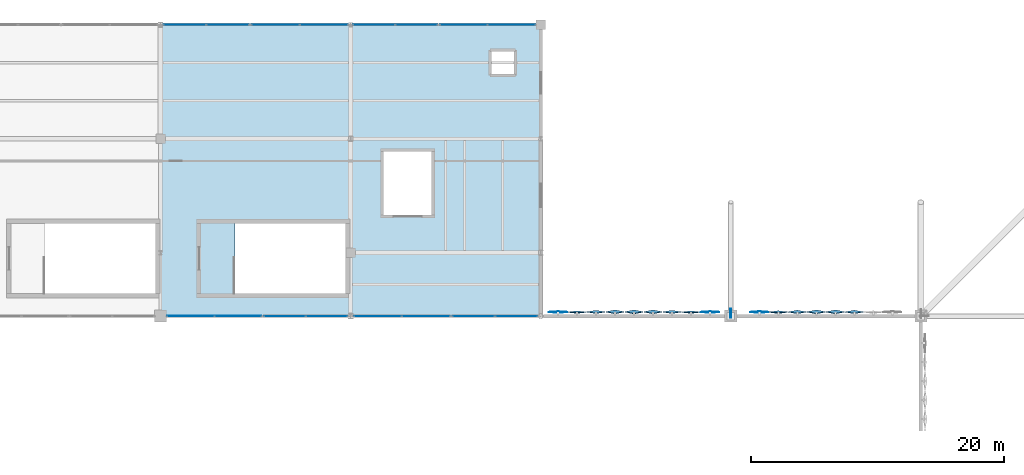
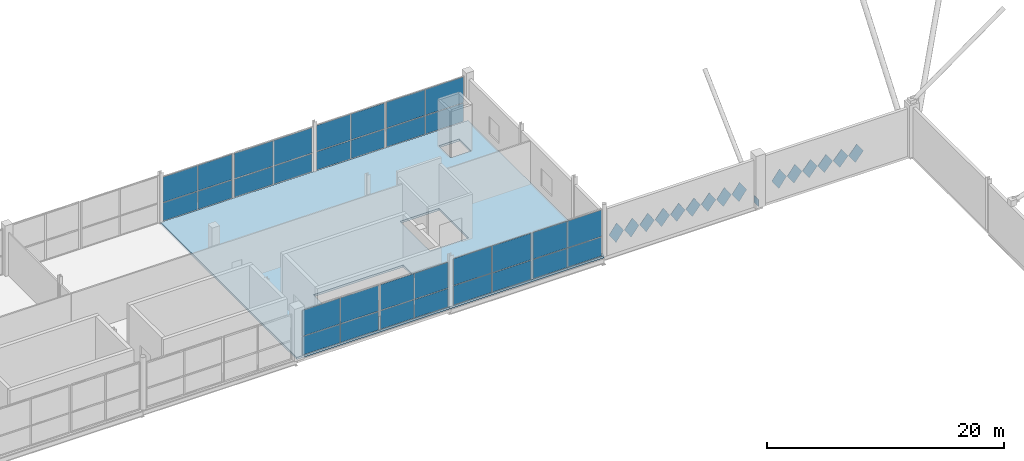
# One storey, part 76 of 119: 48 plates, 1 slab, 8 elements without a shape of their own.
"""IFC4 building model written with IfcOpenShell, lengths in metres."""

from ifc_helpers import new_model, si_unit, direction, frame, origin, origin_2d, place, context, subcontext, project, spatial, polyline, rectangle, outline, extrude, material, layer, layer_set, type_object, element, aggregate, save


model = new_model("IFC4")

# Units and contexts
model_context = context("Model", 3, precision=1e-05, world=origin(), true_north=direction((0.0, 1.0)))
body_context = subcontext(model_context, "Body", "Model", "MODEL_VIEW")
ifc_project = project(units=[si_unit("LENGTHUNIT", "METRE"), si_unit("AREAUNIT", "SQUARE_METRE"), si_unit("VOLUMEUNIT", "CUBIC_METRE"), si_unit("PLANEANGLEUNIT", "RADIAN"), si_unit("MASSUNIT", "GRAM", prefix="KILO")], contexts=[model_context])

# Site, building, storey
site_placement = place(None, origin())
site = spatial("IfcSite", under=ifc_project, at=site_placement, CompositionType="ELEMENT")
building_placement = place(site_placement, origin())
building = spatial("IfcBuilding", under=site, at=building_placement, Name="Qamarlyn Nura Convention Centre", CompositionType="ELEMENT")
storey_placement = place(building_placement, frame((0.0, 0.0, 5.39990234375)))
storey = spatial("IfcBuildingStorey", under=building, at=storey_placement, Name="L01", CompositionType="ELEMENT", Elevation=5.39990234375)

# Curtain wall, plates
ifc_material_1 = material(Name="Double-silver low-E insulated glass", Category="glass")
ifc_layer_1 = layer(ifc_material_1, 0.179931640625, Name="CW-UNIT-39")
ifc_layer_set_1 = layer_set([ifc_layer_1], Name="Double-silver low-E insulated glass")
curtain_wall_type_1 = type_object("IfcCurtainWallType", Name="CW-UNIT-39", PredefinedType="NOTDEFINED", material=ifc_layer_set_1)
curtain_wall_1_placement = place(storey_placement, origin())
curtain_wall_1 = element("IfcCurtainWall", 1, at=curtain_wall_1_placement, inside=storey, type_object=curtain_wall_type_1, Name="L01 unitised curtain wall NS-INT-4-1A", PredefinedType="NOTDEFINED")
ifc_layer_2 = layer(ifc_material_1, 0.028076171875, Name="CWP-VIS-28")
ifc_layer_set_2 = layer_set([ifc_layer_2], Name="Double-silver low-E insulated glass")
plate_type_1 = type_object("IfcPlateType", Name="CWP-VIS-28", PredefinedType="CURTAIN_PANEL", material=ifc_layer_set_2)
plate_1_placement = place(storey_placement, frame((73.106689453125, 103.0, 0.06494140625), z_axis=(0.0, 0.0, 1.0), x_axis=(-1.0, 0.0, 0.0)))
plate_1 = element("IfcPlate", 2, at=plate_1_placement, type_object=plate_type_1, Name="CW39 panel 1.1", PredefinedType="CURTAIN_PANEL", context=body_context, shape_type="SweptSolid", body=[
    extrude(rectangle(XDim=3.247802734375, YDim=0.028076171875, at=origin_2d()), origin(), (0.0, 0.0, 1.0), 1.886474609375),
])
plate_2_placement = place(storey_placement, frame((73.106689453125, 103.0, 2.0166015625), z_axis=(0.0, 0.0, 1.0), x_axis=(-1.0, 0.0, 0.0)))
plate_2 = element("IfcPlate", 3, at=plate_2_placement, type_object=plate_type_1, Name="CW39 panel 1.2", PredefinedType="CURTAIN_PANEL", context=body_context, shape_type="SweptSolid", body=[
    extrude(rectangle(XDim=3.247802734375, YDim=0.028076171875, at=origin_2d()), origin(), (0.0, 0.0, 1.0), 2.642578125),
])
plate_3_placement = place(storey_placement, frame((69.793701171875, 103.0, 0.06494140625), z_axis=(0.0, 0.0, 1.0), x_axis=(-1.0, 0.0, 0.0)))
plate_3 = element("IfcPlate", 4, at=plate_3_placement, type_object=plate_type_1, Name="CW39 panel 2.1", PredefinedType="CURTAIN_PANEL", context=body_context, shape_type="SweptSolid", body=[
    extrude(rectangle(XDim=3.247802734375, YDim=0.028076171875, at=origin_2d()), origin(), (0.0, 0.0, 1.0), 1.886474609375),
])
plate_4_placement = place(storey_placement, frame((69.793701171875, 103.0, 2.0166015625), z_axis=(0.0, 0.0, 1.0), x_axis=(-1.0, 0.0, 0.0)))
plate_4 = element("IfcPlate", 5, at=plate_4_placement, type_object=plate_type_1, Name="CW39 panel 2.2", PredefinedType="CURTAIN_PANEL", context=body_context, shape_type="SweptSolid", body=[
    extrude(rectangle(XDim=3.247802734375, YDim=0.028076171875, at=origin_2d()), origin(), (0.0, 0.0, 1.0), 2.642578125),
])
aggregate(curtain_wall_1, [plate_1, plate_2, plate_3, plate_4])

ifc_layer_3 = layer(ifc_material_1, 0.179931640625, Name="CW-UNIT-41")
ifc_layer_set_3 = layer_set([ifc_layer_3], Name="Double-silver low-E insulated glass")
curtain_wall_type_2 = type_object("IfcCurtainWallType", Name="CW-UNIT-41", PredefinedType="NOTDEFINED", material=ifc_layer_set_3)
curtain_wall_2_placement = place(storey_placement, origin())
curtain_wall_2 = element("IfcCurtainWall", 6, at=curtain_wall_2_placement, inside=storey, type_object=curtain_wall_type_2, Name="L01 unitised curtain wall NS-INT-5-1A", PredefinedType="NOTDEFINED")
plate_5_placement = place(storey_placement, frame((88.07470703125, 103.0, 0.0703125), z_axis=(0.0, 0.0, 1.0), x_axis=(-1.0, 0.0, 0.0)))
plate_5 = element("IfcPlate", 7, at=plate_5_placement, type_object=plate_type_1, Name="CW41 panel 1.1", PredefinedType="CURTAIN_PANEL", context=body_context, shape_type="SweptSolid", body=[
    extrude(rectangle(XDim=3.30419921875, YDim=0.028076171875, at=origin_2d()), origin(), (0.0, 0.0, 1.0), 1.948974609375),
])
plate_6_placement = place(storey_placement, frame((88.07470703125, 103.0, 2.089111328125), z_axis=(0.0, 0.0, 1.0), x_axis=(-1.0, 0.0, 0.0)))
plate_6 = element("IfcPlate", 8, at=plate_6_placement, type_object=plate_type_1, Name="CW41 panel 1.2", PredefinedType="CURTAIN_PANEL", context=body_context, shape_type="SweptSolid", body=[
    extrude(rectangle(XDim=3.30419921875, YDim=0.028076171875, at=origin_2d()), origin(), (0.0, 0.0, 1.0), 2.73095703125),
])
plate_7_placement = place(storey_placement, frame((84.700439453125, 103.0, 0.0703125), z_axis=(0.0, 0.0, 1.0), x_axis=(-1.0, 0.0, 0.0)))
plate_7 = element("IfcPlate", 9, at=plate_7_placement, type_object=plate_type_1, Name="CW41 panel 2.1", PredefinedType="CURTAIN_PANEL", context=body_context, shape_type="SweptSolid", body=[
    extrude(rectangle(XDim=3.30419921875, YDim=0.028076171875, at=origin_2d()), origin(), (0.0, 0.0, 1.0), 1.948974609375),
])
plate_8_placement = place(storey_placement, frame((84.700439453125, 103.0, 2.089111328125), z_axis=(0.0, 0.0, 1.0), x_axis=(-1.0, 0.0, 0.0)))
plate_8 = element("IfcPlate", 10, at=plate_8_placement, type_object=plate_type_1, Name="CW41 panel 2.2", PredefinedType="CURTAIN_PANEL", context=body_context, shape_type="SweptSolid", body=[
    extrude(rectangle(XDim=3.30419921875, YDim=0.028076171875, at=origin_2d()), origin(), (0.0, 0.0, 1.0), 2.73095703125),
])
aggregate(curtain_wall_2, [plate_5, plate_6, plate_7, plate_8])

ifc_layer_4 = layer(ifc_material_1, 0.179931640625, Name="CW-UNIT-42")
ifc_layer_set_4 = layer_set([ifc_layer_4], Name="Double-silver low-E insulated glass")
curtain_wall_type_3 = type_object("IfcCurtainWallType", Name="CW-UNIT-42", PredefinedType="NOTDEFINED", material=ifc_layer_set_4)
curtain_wall_3_placement = place(storey_placement, origin())
curtain_wall_3 = element("IfcCurtainWall", 11, at=curtain_wall_3_placement, inside=storey, type_object=curtain_wall_type_3, Name="L01 unitised curtain wall NS-INT-5-1B", PredefinedType="NOTDEFINED")
plate_9_placement = place(storey_placement, frame((80.958740234375, 103.0, 0.065185546875), z_axis=(0.0, 0.0, 1.0), x_axis=(-1.0, 0.0, 0.0)))
plate_9 = element("IfcPlate", 12, at=plate_9_placement, type_object=plate_type_1, Name="CW42 panel 1.1", PredefinedType="CURTAIN_PANEL", context=body_context, shape_type="SweptSolid", body=[
    extrude(rectangle(XDim=3.74951171875, YDim=0.028076171875, at=origin_2d()), origin(), (0.0, 0.0, 1.0), 1.95654296875),
])
plate_10_placement = place(storey_placement, frame((80.958740234375, 103.0, 2.08642578125), z_axis=(0.0, 0.0, 1.0), x_axis=(-1.0, 0.0, 0.0)))
plate_10 = element("IfcPlate", 13, at=plate_10_placement, type_object=plate_type_1, Name="CW42 panel 1.2", PredefinedType="CURTAIN_PANEL", context=body_context, shape_type="SweptSolid", body=[
    extrude(rectangle(XDim=3.74951171875, YDim=0.028076171875, at=origin_2d()), origin(), (0.0, 0.0, 1.0), 2.738525390625),
])
plate_11_placement = place(storey_placement, frame((77.144287109375, 103.0, 0.065185546875), z_axis=(0.0, 0.0, 1.0), x_axis=(-1.0, 0.0, 0.0)))
plate_11 = element("IfcPlate", 14, at=plate_11_placement, type_object=plate_type_1, Name="CW42 panel 2.1", PredefinedType="CURTAIN_PANEL", context=body_context, shape_type="SweptSolid", body=[
    extrude(rectangle(XDim=3.74951171875, YDim=0.028076171875, at=origin_2d()), origin(), (0.0, 0.0, 1.0), 1.95654296875),
])
plate_12_placement = place(storey_placement, frame((77.144287109375, 103.0, 2.08642578125), z_axis=(0.0, 0.0, 1.0), x_axis=(-1.0, 0.0, 0.0)))
plate_12 = element("IfcPlate", 15, at=plate_12_placement, type_object=plate_type_1, Name="CW42 panel 2.2", PredefinedType="CURTAIN_PANEL", context=body_context, shape_type="SweptSolid", body=[
    extrude(rectangle(XDim=3.74951171875, YDim=0.028076171875, at=origin_2d()), origin(), (0.0, 0.0, 1.0), 2.738525390625),
])
aggregate(curtain_wall_3, [plate_9, plate_10, plate_11, plate_12])

ifc_layer_5 = layer(ifc_material_1, 0.179931640625, Name="CW-UNIT-43")
ifc_layer_set_5 = layer_set([ifc_layer_5], Name="Double-silver low-E insulated glass")
curtain_wall_type_4 = type_object("IfcCurtainWallType", Name="CW-UNIT-43", PredefinedType="NOTDEFINED", material=ifc_layer_set_5)
curtain_wall_4_placement = place(storey_placement, origin())
curtain_wall_4 = element("IfcCurtainWall", 16, at=curtain_wall_4_placement, inside=storey, type_object=curtain_wall_type_4, Name="L01 unitised curtain wall NS-N4-1A", PredefinedType="NOTDEFINED")
plate_13_placement = place(storey_placement, frame((61.91455078125, 126.0, 0.06005859375), z_axis=(0.0, 0.0, 1.0), x_axis=(1.0, 0.0, 0.0)))
plate_13 = element("IfcPlate", 17, at=plate_13_placement, type_object=plate_type_1, Name="CW43 panel 1.1", PredefinedType="CURTAIN_PANEL", context=body_context, shape_type="SweptSolid", body=[
    extrude(rectangle(XDim=3.335205078125, YDim=0.028076171875, at=origin_2d()), origin(), (0.0, 0.0, 1.0), 1.863037109375),
])
plate_14_placement = place(storey_placement, frame((61.91455078125, 126.0, 1.983154296875), z_axis=(0.0, 0.0, 1.0), x_axis=(1.0, 0.0, 0.0)))
plate_14 = element("IfcPlate", 18, at=plate_14_placement, type_object=plate_type_1, Name="CW43 panel 1.2", PredefinedType="CURTAIN_PANEL", context=body_context, shape_type="SweptSolid", body=[
    extrude(rectangle(XDim=3.335205078125, YDim=0.028076171875, at=origin_2d()), origin(), (0.0, 0.0, 1.0), 2.60791015625),
])
plate_15_placement = place(storey_placement, frame((65.309814453125, 126.0, 0.06005859375), z_axis=(0.0, 0.0, 1.0), x_axis=(1.0, 0.0, 0.0)))
plate_15 = element("IfcPlate", 19, at=plate_15_placement, type_object=plate_type_1, Name="CW43 panel 2.1", PredefinedType="CURTAIN_PANEL", context=body_context, shape_type="SweptSolid", body=[
    extrude(rectangle(XDim=3.335205078125, YDim=0.028076171875, at=origin_2d()), origin(), (0.0, 0.0, 1.0), 1.863037109375),
])
plate_16_placement = place(storey_placement, frame((65.309814453125, 126.0, 1.983154296875), z_axis=(0.0, 0.0, 1.0), x_axis=(1.0, 0.0, 0.0)))
plate_16 = element("IfcPlate", 20, at=plate_16_placement, type_object=plate_type_1, Name="CW43 panel 2.2", PredefinedType="CURTAIN_PANEL", context=body_context, shape_type="SweptSolid", body=[
    extrude(rectangle(XDim=3.335205078125, YDim=0.028076171875, at=origin_2d()), origin(), (0.0, 0.0, 1.0), 2.60791015625),
])
aggregate(curtain_wall_4, [plate_13, plate_14, plate_15, plate_16])

ifc_layer_6 = layer(ifc_material_1, 0.179931640625, Name="CW-UNIT-44")
ifc_layer_set_6 = layer_set([ifc_layer_6], Name="Double-silver low-E insulated glass")
curtain_wall_type_5 = type_object("IfcCurtainWallType", Name="CW-UNIT-44", PredefinedType="NOTDEFINED", material=ifc_layer_set_6)
curtain_wall_5_placement = place(storey_placement, origin())
curtain_wall_5 = element("IfcCurtainWall", 21, at=curtain_wall_5_placement, inside=storey, type_object=curtain_wall_type_5, Name="L01 unitised curtain wall NS-N4-1B", PredefinedType="NOTDEFINED")
plate_17_placement = place(storey_placement, frame((69.0673828125, 126.0, 0.0703125), z_axis=(0.0, 0.0, 1.0), x_axis=(1.0, 0.0, 0.0)))
plate_17 = element("IfcPlate", 22, at=plate_17_placement, type_object=plate_type_1, Name="CW44 panel 1.1", PredefinedType="CURTAIN_PANEL", context=body_context, shape_type="SweptSolid", body=[
    extrude(rectangle(XDim=3.760009765625, YDim=0.028076171875, at=origin_2d()), origin(), (0.0, 0.0, 1.0), 1.847900390625),
])
plate_18_placement = place(storey_placement, frame((69.0673828125, 126.0, 1.98828125), z_axis=(0.0, 0.0, 1.0), x_axis=(1.0, 0.0, 0.0)))
plate_18 = element("IfcPlate", 23, at=plate_18_placement, type_object=plate_type_1, Name="CW44 panel 1.2", PredefinedType="CURTAIN_PANEL", context=body_context, shape_type="SweptSolid", body=[
    extrude(rectangle(XDim=3.760009765625, YDim=0.028076171875, at=origin_2d()), origin(), (0.0, 0.0, 1.0), 2.593017578125),
])
plate_19_placement = place(storey_placement, frame((72.8974609375, 126.0, 0.0703125), z_axis=(0.0, 0.0, 1.0), x_axis=(1.0, 0.0, 0.0)))
plate_19 = element("IfcPlate", 24, at=plate_19_placement, type_object=plate_type_1, Name="CW44 panel 2.1", PredefinedType="CURTAIN_PANEL", context=body_context, shape_type="SweptSolid", body=[
    extrude(rectangle(XDim=3.760009765625, YDim=0.028076171875, at=origin_2d()), origin(), (0.0, 0.0, 1.0), 1.847900390625),
])
plate_20_placement = place(storey_placement, frame((72.8974609375, 126.0, 1.98828125), z_axis=(0.0, 0.0, 1.0), x_axis=(1.0, 0.0, 0.0)))
plate_20 = element("IfcPlate", 25, at=plate_20_placement, type_object=plate_type_1, Name="CW44 panel 2.2", PredefinedType="CURTAIN_PANEL", context=body_context, shape_type="SweptSolid", body=[
    extrude(rectangle(XDim=3.760009765625, YDim=0.028076171875, at=origin_2d()), origin(), (0.0, 0.0, 1.0), 2.593017578125),
])
aggregate(curtain_wall_5, [plate_17, plate_18, plate_19, plate_20])

ifc_layer_7 = layer(ifc_material_1, 0.179931640625, Name="CW-UNIT-49")
ifc_layer_set_7 = layer_set([ifc_layer_7], Name="Double-silver low-E insulated glass")
curtain_wall_type_6 = type_object("IfcCurtainWallType", Name="CW-UNIT-49", PredefinedType="NOTDEFINED", material=ifc_layer_set_7)
curtain_wall_6_placement = place(storey_placement, origin())
curtain_wall_6 = element("IfcCurtainWall", 26, at=curtain_wall_6_placement, inside=storey, type_object=curtain_wall_type_6, Name="L01 unitised curtain wall NS-N5-1A", PredefinedType="NOTDEFINED")
plate_21_placement = place(storey_placement, frame((76.859375, 126.0, 0.06494140625), z_axis=(0.0, 0.0, 1.0), x_axis=(1.0, 0.0, 0.0)))
plate_21 = element("IfcPlate", 27, at=plate_21_placement, type_object=plate_type_1, Name="CW49 panel 1.1", PredefinedType="CURTAIN_PANEL", context=body_context, shape_type="SweptSolid", body=[
    extrude(rectangle(XDim=3.283447265625, YDim=0.028076171875, at=origin_2d()), origin(), (0.0, 0.0, 1.0), 1.886474609375),
])
plate_22_placement = place(storey_placement, frame((76.859375, 126.0, 2.0166015625), z_axis=(0.0, 0.0, 1.0), x_axis=(1.0, 0.0, 0.0)))
plate_22 = element("IfcPlate", 28, at=plate_22_placement, type_object=plate_type_1, Name="CW49 panel 1.2", PredefinedType="CURTAIN_PANEL", context=body_context, shape_type="SweptSolid", body=[
    extrude(rectangle(XDim=3.283447265625, YDim=0.028076171875, at=origin_2d()), origin(), (0.0, 0.0, 1.0), 2.642578125),
])
plate_23_placement = place(storey_placement, frame((80.207763671875, 126.0, 0.06494140625), z_axis=(0.0, 0.0, 1.0), x_axis=(1.0, 0.0, 0.0)))
plate_23 = element("IfcPlate", 29, at=plate_23_placement, type_object=plate_type_1, Name="CW49 panel 2.1", PredefinedType="CURTAIN_PANEL", context=body_context, shape_type="SweptSolid", body=[
    extrude(rectangle(XDim=3.283447265625, YDim=0.028076171875, at=origin_2d()), origin(), (0.0, 0.0, 1.0), 1.886474609375),
])
plate_24_placement = place(storey_placement, frame((80.207763671875, 126.0, 2.0166015625), z_axis=(0.0, 0.0, 1.0), x_axis=(1.0, 0.0, 0.0)))
plate_24 = element("IfcPlate", 30, at=plate_24_placement, type_object=plate_type_1, Name="CW49 panel 2.2", PredefinedType="CURTAIN_PANEL", context=body_context, shape_type="SweptSolid", body=[
    extrude(rectangle(XDim=3.283447265625, YDim=0.028076171875, at=origin_2d()), origin(), (0.0, 0.0, 1.0), 2.642578125),
])
aggregate(curtain_wall_6, [plate_21, plate_22, plate_23, plate_24])

ifc_layer_8 = layer(ifc_material_1, 0.179931640625, Name="CW-UNIT-40")
ifc_layer_set_8 = layer_set([ifc_layer_8], Name="Double-silver low-E insulated glass")
curtain_wall_type_7 = type_object("IfcCurtainWallType", Name="CW-UNIT-40", PredefinedType="NOTDEFINED", material=ifc_layer_set_8)
curtain_wall_7_placement = place(storey_placement, origin())
curtain_wall_7 = element("IfcCurtainWall", 31, at=curtain_wall_7_placement, inside=storey, type_object=curtain_wall_type_7, Name="L01 unitised curtain wall NS-INT-4-1B", PredefinedType="NOTDEFINED")
ifc_layer_9 = layer(ifc_material_1, 0.031982421875, Name="CWP-VIS-32")
ifc_layer_set_9 = layer_set([ifc_layer_9], Name="Double-silver low-E insulated glass")
plate_type_2 = type_object("IfcPlateType", Name="CWP-VIS-32", PredefinedType="CURTAIN_PANEL", material=ifc_layer_set_9)
plate_25_placement = place(storey_placement, frame((66.122314453125, 103.0, 0.06005859375), z_axis=(0.0, 0.0, 1.0), x_axis=(-1.0, 0.0, 0.0)))
plate_25 = element("IfcPlate", 32, at=plate_25_placement, type_object=plate_type_2, Name="CW40 panel 1.1", PredefinedType="CURTAIN_PANEL", context=body_context, shape_type="SweptSolid", body=[
    extrude(rectangle(XDim=3.68505859375, YDim=0.031982421875, at=origin_2d()), origin(), (0.0, 0.0, 1.0), 1.89404296875),
])
plate_26_placement = place(storey_placement, frame((66.122314453125, 103.0, 2.01416015625), z_axis=(0.0, 0.0, 1.0), x_axis=(-1.0, 0.0, 0.0)))
plate_26 = element("IfcPlate", 33, at=plate_26_placement, type_object=plate_type_2, Name="CW40 panel 1.2", PredefinedType="CURTAIN_PANEL", context=body_context, shape_type="SweptSolid", body=[
    extrude(rectangle(XDim=3.68505859375, YDim=0.031982421875, at=origin_2d()), origin(), (0.0, 0.0, 1.0), 2.64990234375),
])
plate_27_placement = place(storey_placement, frame((62.37744140625, 103.0, 0.06005859375), z_axis=(0.0, 0.0, 1.0), x_axis=(-1.0, 0.0, 0.0)))
plate_27 = element("IfcPlate", 34, at=plate_27_placement, type_object=plate_type_2, Name="CW40 panel 2.1", PredefinedType="CURTAIN_PANEL", context=body_context, shape_type="SweptSolid", body=[
    extrude(rectangle(XDim=3.68505859375, YDim=0.031982421875, at=origin_2d()), origin(), (0.0, 0.0, 1.0), 1.89404296875),
])
plate_28_placement = place(storey_placement, frame((62.37744140625, 103.0, 2.01416015625), z_axis=(0.0, 0.0, 1.0), x_axis=(-1.0, 0.0, 0.0)))
plate_28 = element("IfcPlate", 35, at=plate_28_placement, type_object=plate_type_2, Name="CW40 panel 2.2", PredefinedType="CURTAIN_PANEL", context=body_context, shape_type="SweptSolid", body=[
    extrude(rectangle(XDim=3.68505859375, YDim=0.031982421875, at=origin_2d()), origin(), (0.0, 0.0, 1.0), 2.64990234375),
])
aggregate(curtain_wall_7, [plate_25, plate_26, plate_27, plate_28])

ifc_layer_10 = layer(ifc_material_1, 0.179931640625, Name="CW-UNIT-50")
ifc_layer_set_10 = layer_set([ifc_layer_10], Name="Double-silver low-E insulated glass")
curtain_wall_type_8 = type_object("IfcCurtainWallType", Name="CW-UNIT-50", PredefinedType="NOTDEFINED", material=ifc_layer_set_10)
curtain_wall_8_placement = place(storey_placement, origin())
curtain_wall_8 = element("IfcCurtainWall", 36, at=curtain_wall_8_placement, inside=storey, type_object=curtain_wall_type_8, Name="L01 unitised curtain wall NS-N5-1B", PredefinedType="NOTDEFINED")
plate_29_placement = place(storey_placement, frame((83.917236328125, 126.0, 0.06005859375), z_axis=(0.0, 0.0, 1.0), x_axis=(1.0, 0.0, 0.0)))
plate_29 = element("IfcPlate", 37, at=plate_29_placement, type_object=plate_type_2, Name="CW50 panel 1.1", PredefinedType="CURTAIN_PANEL", context=body_context, shape_type="SweptSolid", body=[
    extrude(rectangle(XDim=3.72509765625, YDim=0.031982421875, at=origin_2d()), origin(), (0.0, 0.0, 1.0), 1.89404296875),
])
plate_30_placement = place(storey_placement, frame((83.917236328125, 126.0, 2.01416015625), z_axis=(0.0, 0.0, 1.0), x_axis=(1.0, 0.0, 0.0)))
plate_30 = element("IfcPlate", 38, at=plate_30_placement, type_object=plate_type_2, Name="CW50 panel 1.2", PredefinedType="CURTAIN_PANEL", context=body_context, shape_type="SweptSolid", body=[
    extrude(rectangle(XDim=3.72509765625, YDim=0.031982421875, at=origin_2d()), origin(), (0.0, 0.0, 1.0), 2.64990234375),
])
plate_31_placement = place(storey_placement, frame((87.702392578125, 126.0, 0.06005859375), z_axis=(0.0, 0.0, 1.0), x_axis=(1.0, 0.0, 0.0)))
plate_31 = element("IfcPlate", 39, at=plate_31_placement, type_object=plate_type_2, Name="CW50 panel 2.1", PredefinedType="CURTAIN_PANEL", context=body_context, shape_type="SweptSolid", body=[
    extrude(rectangle(XDim=3.72509765625, YDim=0.031982421875, at=origin_2d()), origin(), (0.0, 0.0, 1.0), 1.89404296875),
])
plate_32_placement = place(storey_placement, frame((87.702392578125, 126.0, 2.01416015625), z_axis=(0.0, 0.0, 1.0), x_axis=(1.0, 0.0, 0.0)))
plate_32 = element("IfcPlate", 40, at=plate_32_placement, type_object=plate_type_2, Name="CW50 panel 2.2", PredefinedType="CURTAIN_PANEL", context=body_context, shape_type="SweptSolid", body=[
    extrude(rectangle(XDim=3.72509765625, YDim=0.031982421875, at=origin_2d()), origin(), (0.0, 0.0, 1.0), 2.64990234375),
])
aggregate(curtain_wall_8, [plate_29, plate_30, plate_31, plate_32])

# Plates
ifc_material_2 = material(Name="White high-albedo PVDF aluminium composite sheet", Category="aluminium")
ifc_layer_11 = layer(ifc_material_2, 0.02001953125, Name="FP-DIAM-02")
ifc_layer_set_11 = layer_set([ifc_layer_11], Name="White high-albedo PVDF aluminium composite sheet")
plate_type_3 = type_object("IfcPlateType", Name="FP-DIAM-02", PredefinedType="SHEET", material=ifc_layer_set_11)
for number, where, z_axis, x_axis, name in (
    (41, (91.364013671875, 103.31005859375, 1.7001953125), (0.0, 0.998922518042, 0.046409082599), (-1.0, 0.0, 0.0), "L01 pivoted white diamond facade tile 0141"),
    (42, (103.364013671875, 103.31005859375, 1.7001953125), (0.0, 0.998922518042, 0.046409082599), (-1.0, 0.0, 0.0), "L01 pivoted white diamond facade tile 0149"),
    (43, (107.25, 103.31005859375, 1.7001953125), (0.0, 0.998797596236, 0.049024093608), (-1.0, 0.0, 0.0), "L01 pivoted white diamond facade tile 0150"),
):
    element("IfcPlate", number, at=place(storey_placement, frame(where, z_axis=z_axis, x_axis=x_axis)), inside=storey, type_object=plate_type_3, Name=name, PredefinedType="SHEET", context=body_context, shape_type="SweptSolid", body=[
        extrude(outline(polyline([(-0.719970703125, 0.0), (0.0, -1.050048828125), (0.719970703125, 0.0), (0.0, 1.050048828125), (-0.719970703125, 0.0)])), origin(), (0.0, 0.0, 1.0), 0.02001953125),
    ])
ifc_layer_12 = layer(ifc_material_2, 0.02587890625, Name="FP-DIAM-04")
ifc_layer_set_12 = layer_set([ifc_layer_12], Name="White high-albedo PVDF aluminium composite sheet")
plate_type_4 = type_object("IfcPlateType", Name="FP-DIAM-04", PredefinedType="SHEET", material=ifc_layer_set_12)
for number, where, z_axis, x_axis, name in (
    (44, (92.864013671875, 103.31005859375, 1.7001953125), (0.0, 0.996419457129, 0.084547415428), (-1.0, 0.0, 0.0), "L01 pivoted white diamond facade tile 0142"),
    (45, (101.864013671875, 103.31005859375, 1.7001953125), (0.0, 0.996419457129, 0.084547415428), (-1.0, 0.0, 0.0), "L01 pivoted white diamond facade tile 0148"),
):
    element("IfcPlate", number, at=place(storey_placement, frame(where, z_axis=z_axis, x_axis=x_axis)), inside=storey, type_object=plate_type_4, Name=name, PredefinedType="SHEET", context=body_context, shape_type="SweptSolid", body=[
        extrude(outline(polyline([(-0.719970703125, 0.0), (0.0, -1.050048828125), (0.719970703125, 0.0), (0.0, 1.050048828125), (-0.719970703125, 0.0)])), origin(), (0.0, 0.0, 1.0), 0.02587890625),
    ])
ifc_layer_13 = layer(ifc_material_2, 0.030029296875, Name="FP-DIAM-05")
ifc_layer_set_13 = layer_set([ifc_layer_13], Name="White high-albedo PVDF aluminium composite sheet")
plate_type_5 = type_object("IfcPlateType", Name="FP-DIAM-05", PredefinedType="SHEET", material=ifc_layer_set_13)
plate_33_placement = place(storey_placement, frame((108.75, 103.31005859375, 1.7001953125), z_axis=(0.0, 0.995852701205, 0.090980203904), x_axis=(-1.0, 0.0, 0.0)))
element("IfcPlate", 46, at=plate_33_placement, inside=storey, type_object=plate_type_5, Name="L01 pivoted white diamond facade tile 0151", PredefinedType="SHEET", context=body_context, shape_type="SweptSolid", body=[
    extrude(outline(polyline([(-0.719970703125, 0.0), (0.0, -1.050048828125), (0.719970703125, 0.0), (0.0, 1.050048828125), (-0.719970703125, 0.0)])), origin(), (0.0, 0.0, 1.0), 0.030029296875),
])
ifc_layer_14 = layer(ifc_material_2, 0.0380859375, Name="FP-DIAM-07")
ifc_layer_set_14 = layer_set([ifc_layer_14], Name="White high-albedo PVDF aluminium composite sheet")
plate_type_6 = type_object("IfcPlateType", Name="FP-DIAM-07", PredefinedType="SHEET", material=ifc_layer_set_14)
for number, where, z_axis, x_axis, name in (
    (47, (94.364013671875, 103.31005859375, 1.7001953125), (0.0, 0.993312448482, 0.115457263478), (-1.0, 0.0, 0.0), "L01 pivoted white diamond facade tile 0143"),
    (48, (100.364013671875, 103.31005859375, 1.7001953125), (0.0, 0.993312448482, 0.115457263478), (-1.0, 0.0, 0.0), "L01 pivoted white diamond facade tile 0147"),
    (49, (110.25, 103.31005859375, 1.7001953125), (0.0, 0.992396519438, 0.123081876034), (-1.0, 0.0, 0.0), "L01 pivoted white diamond facade tile 0152"),
    (50, (114.75, 103.31005859375, 1.7001953125), (0.0, 0.992396519438, 0.123081876034), (-1.0, 0.0, 0.0), "L01 pivoted white diamond facade tile 0155"),
):
    element("IfcPlate", number, at=place(storey_placement, frame(where, z_axis=z_axis, x_axis=x_axis)), inside=storey, type_object=plate_type_6, Name=name, PredefinedType="SHEET", context=body_context, shape_type="SweptSolid", body=[
        extrude(outline(polyline([(-0.719970703125, 0.0), (0.0, -1.050048828125), (0.719970703125, 0.0), (0.0, 1.050048828125), (-0.719970703125, 0.0)])), origin(), (0.0, 0.0, 1.0), 0.0380859375),
    ])
ifc_layer_15 = layer(ifc_material_2, 0.0439453125, Name="FP-DIAM-08")
ifc_layer_set_15 = layer_set([ifc_layer_15], Name="White high-albedo PVDF aluminium composite sheet")
plate_type_7 = type_object("IfcPlateType", Name="FP-DIAM-08", PredefinedType="SHEET", material=ifc_layer_set_15)
for number, where, z_axis, x_axis, name in (
    (51, (95.864013671875, 103.31005859375, 1.7001953125), (0.0, 0.990747840471, 0.135715572434), (-1.0, 0.0, 0.0), "L01 pivoted white diamond facade tile 0144"),
    (52, (97.364013671875, 103.31005859375, 1.7001953125), (0.0, 0.989776230908, 0.142628933706), (-1.0, 0.0, 0.0), "L01 pivoted white diamond facade tile 0145"),
    (53, (98.864013671875, 103.31005859375, 1.7001953125), (0.0, 0.990747840471, 0.135715572434), (-1.0, 0.0, 0.0), "L01 pivoted white diamond facade tile 0146"),
    (54, (111.75, 103.31005859375, 1.7001953125), (0.0, 0.990097297715, 0.140382837472), (-1.0, 0.0, 0.0), "L01 pivoted white diamond facade tile 0153"),
    (55, (113.25, 103.31005859375, 1.7001953125), (0.0, 0.990097297715, 0.140382837472), (-1.0, 0.0, 0.0), "L01 pivoted white diamond facade tile 0154"),
):
    element("IfcPlate", number, at=place(storey_placement, frame(where, z_axis=z_axis, x_axis=x_axis)), inside=storey, type_object=plate_type_7, Name=name, PredefinedType="SHEET", context=body_context, shape_type="SweptSolid", body=[
        extrude(outline(polyline([(-0.719970703125, 0.0), (0.0, -1.050048828125), (0.719970703125, 0.0), (0.0, 1.050048828125), (-0.719970703125, 0.0)])), origin(), (0.0, 0.0, 1.0), 0.0439453125),
    ])
ifc_material_3 = material(Name="Structural steel ASTM A572 Grade 50", Category="steel")
ifc_layer_16 = layer(ifc_material_3, 0.048095703125, Name="GP-SN3")
ifc_layer_set_16 = layer_set([ifc_layer_16], Name="Structural steel ASTM A572 Grade 50")
plate_type_8 = type_object("IfcPlateType", Name="GP-SN3", PredefinedType="USERDEFINED", material=ifc_layer_set_16)
plate_34_placement = place(storey_placement, frame((105.0, 103.24609375, -0.12548828125), z_axis=(0.0, 0.0, 1.0), x_axis=(0.0, 1.0, 0.0)))
element("IfcPlate", 56, at=plate_34_placement, inside=storey, type_object=plate_type_8, Name="Tree strut gusset plate N-9-B", ObjectType="GUSSET PLATE", PredefinedType="USERDEFINED", context=body_context, shape_type="SweptSolid", body=[
    extrude(rectangle(XDim=0.719970703125, YDim=0.048095703125, at=origin_2d()), origin(), (0.0, 0.0, 1.0), 0.719970703125),
])

# Slab
ifc_material_4 = material(Name="Concrete C40/50", Category="concrete")
ifc_layer_17 = layer(ifc_material_4, 0.219970703125, Name="SL-L01")
ifc_layer_set_17 = layer_set([ifc_layer_17], Name="Concrete C40/50")
slab_type = type_object("IfcSlabType", Name="SL-L01", PredefinedType="FLOOR", material=ifc_layer_set_17)
slab_placement = place(storey_placement, frame((0.0, 0.0, -0.219970703125)))
element("IfcSlab", 57, at=slab_placement, inside=storey, type_object=slab_type, Name="L01 floor slab L01-NS2", PredefinedType="FLOOR", context=body_context, shape_type="SweptSolid", body=[
    extrude(outline(polyline([(60.0, 126.0), (90.0, 126.0), (90.0, 103.0), (60.0, 103.0), (60.0, 126.0)]), holes=[polyline([(86.0, 124.0), (86.0, 122.0), (88.0, 122.0), (88.0, 124.0), (86.0, 124.0)]), polyline([(65.860107421875, 110.300048828125), (65.860107421875, 104.800048828125), (74.60009765625, 104.800048828125), (74.60009765625, 110.300048828125), (65.860107421875, 110.300048828125)]), polyline([(77.60009765625, 111.0), (81.39990234375, 111.0), (81.39990234375, 116.0), (77.60009765625, 116.0), (77.60009765625, 111.0)])]), origin(), (0.0, 0.0, 1.0), 0.219970703125),
])

save(model, "model.ifc")
